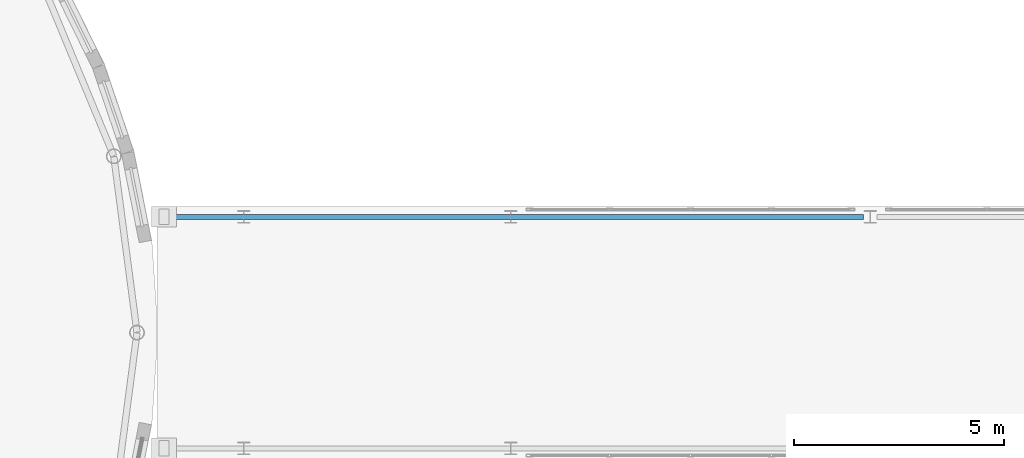
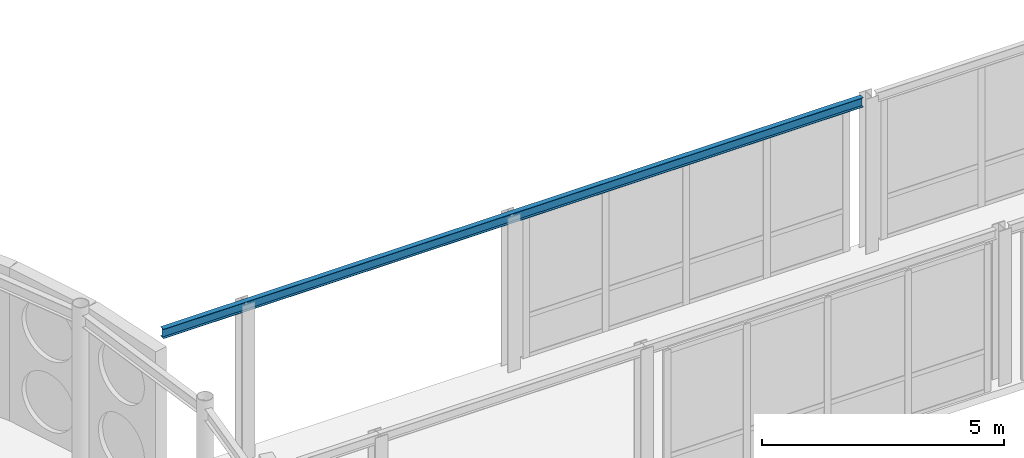
# One storey, part 61 of 165: 1 beam.
"""IFC4 building model written with IfcOpenShell, lengths in metres."""

from ifc_helpers import new_model, si_unit, direction, frame, origin, origin_2d, place, context, subcontext, project, spatial, i_section, extrude, material, material_profile, profile_set, type_object, element, save


model = new_model("IFC4")

# Units and contexts
model_context = context("Model", 3, precision=1e-05, world=origin(), true_north=direction((0.0, 1.0)))
body_context = subcontext(model_context, "Body", "Model", "MODEL_VIEW")
ifc_project = project(units=[si_unit("LENGTHUNIT", "METRE"), si_unit("AREAUNIT", "SQUARE_METRE"), si_unit("VOLUMEUNIT", "CUBIC_METRE"), si_unit("PLANEANGLEUNIT", "RADIAN"), si_unit("MASSUNIT", "GRAM", prefix="KILO")], contexts=[model_context])

# Site, building, storey
site_placement = place(None, origin())
site = spatial("IfcSite", under=ifc_project, at=site_placement, CompositionType="ELEMENT")
building_placement = place(site_placement, origin())
building = spatial("IfcBuilding", under=site, at=building_placement, Name="Montecoro Central Library", CompositionType="ELEMENT")
storey_placement = place(building_placement, frame((0.0, 0.0, 5.10009765625)))
storey = spatial("IfcBuildingStorey", under=building, at=storey_placement, Name="L01", CompositionType="ELEMENT", Elevation=5.10009765625)

# Beam
ifc_material = material(Name="Steel S355", Category="steel")
ifc_material_profile = material_profile(ifc_material, i_section(OverallWidth=0.1201171875, OverallDepth=0.239990234375, WebThickness=0.006103515625, FlangeThickness=0.009765625, at=origin_2d()), Name="IPE 240")
ifc_profile_set = profile_set([ifc_material_profile], Name="Steel S355")
beam_type = type_object("IfcBeamType", Name="BM-SP-IPE240", PredefinedType="SPANDREL", material=ifc_profile_set)
beam_placement = place(storey_placement, frame((108.340087890625, 38.14990234375, 3.787841796875), z_axis=(1.0, 0.0, 0.0), x_axis=(0.0, 1.0, 0.0)))
element("IfcBeam", 1, at=beam_placement, inside=storey, type_object=beam_type, Name="BR-SE-ROOF-BM-N1", PredefinedType="SPANDREL", context=body_context, shape_type="SweptSolid", body=[
    extrude(i_section(OverallWidth=0.1201171875, OverallDepth=0.239990234375, WebThickness=0.006103515625, FlangeThickness=0.009765625, at=origin_2d()), origin(), (0.0, 0.0, 1.0), 16.699951171875),
])

save(model, "model.ifc")
